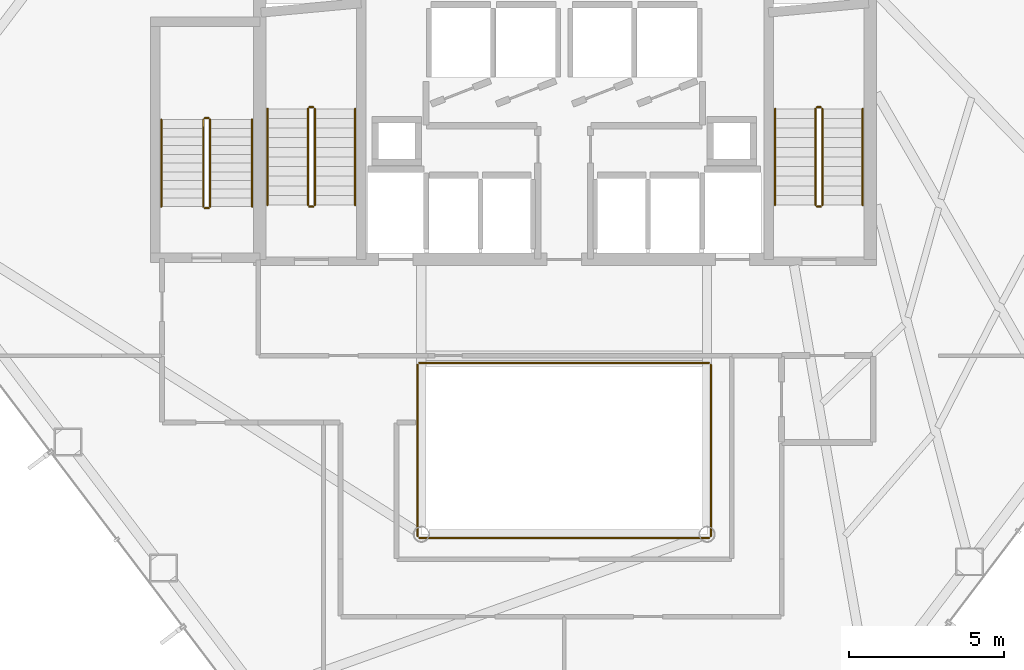
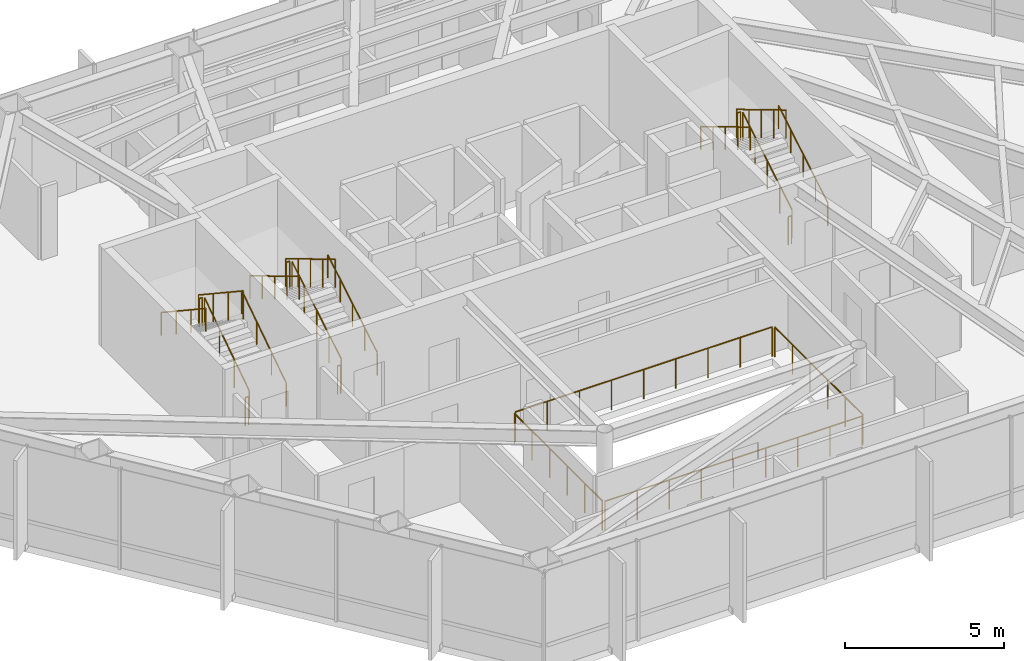
# One storey, part 24 of 24: 22 railings.
"""IFC4 building model written with IfcOpenShell, lengths in metres."""

import ifcopenshell
import ifcopenshell.guid

model = None  # the IFC model being written
_history = None  # IfcOwnerHistory: only IFC2X3 demands one
_inside = {}  # id of a spatial element -> (the spatial element, [elements in it])
_under = {}  # id of a project, library or spatial element -> (it, [spatial elements below it])
_declared = {}  # id of a project -> (the project, [libraries it declares])
_typed = {}  # id of a type object -> (the type object, [elements of that type])
_made_of = {}  # id of a material, layer set ... -> (it, [elements and type objects made of it])


def new_model(schema):
    """Start an empty IFC model of exactly this schema.

    Asked for "IFC4X3", IfcOpenShell would pick the latest addendum, in which some entities
    have other attributes; the version numbers below select the first issue.
    IFC2X3 requires an IfcOwnerHistory on every rooted entity: one is made here for all.
    """
    global model, _history
    if schema == "IFC4X3":
        model = ifcopenshell.file(schema_version=(4, 3, 0, 0))
    else:
        model = ifcopenshell.file(schema=schema)
    _inside.clear()
    _under.clear()
    _declared.clear()
    _typed.clear()
    _made_of.clear()
    _history = None
    if model.schema == "IFC2X3":
        org = make("IfcOrganization", Name="unknown")
        user = make(
            "IfcPersonAndOrganization",
            ThePerson=make("IfcPerson", FamilyName="unknown"),
            TheOrganization=org,
        )
        app = make(
            "IfcApplication",
            ApplicationDeveloper=org,
            Version="unknown",
            ApplicationFullName="unknown",
            ApplicationIdentifier="unknown",
        )
        _history = make(
            "IfcOwnerHistory",
            OwningUser=user,
            OwningApplication=app,
            ChangeAction="ADDED",
            CreationDate=0,
        )
    return model


def make(cls, **values):
    """One entity of the class cls with the attributes given. An attribute that is None is left unset."""
    return model.create_entity(
        cls, **{name: value for name, value in values.items() if value is not None}
    )


def rooted(cls, **values):
    """An entity with a GlobalId (a new one), such as an element, a storey or a relation."""
    return make(cls, GlobalId=ifcopenshell.guid.new(), OwnerHistory=_history, **values)


def si_unit(unit_type, name, prefix=None):
    """IfcSIUnit, for example si_unit("LENGTHUNIT", "METRE", prefix="MILLI")."""
    return make("IfcSIUnit", UnitType=unit_type, Prefix=prefix, Name=name)


def assignment(units):
    """IfcUnitAssignment: the units of a project."""
    return None if units is None else make("IfcUnitAssignment", Units=units)


def point(xyz):
    """IfcCartesianPoint."""
    return None if xyz is None else make("IfcCartesianPoint", Coordinates=xyz)


def direction(xyz):
    """IfcDirection."""
    return None if xyz is None else make("IfcDirection", DirectionRatios=xyz)


def frame(location, z_axis=None, x_axis=None):
    """IfcAxis2Placement3D, a coordinate frame: its origin and axes. An axis left out is left unset."""
    return make(
        "IfcAxis2Placement3D",
        Location=point(location),
        Axis=direction(z_axis),
        RefDirection=direction(x_axis),
    )


def frame_2d(location, x_axis=None):
    """IfcAxis2Placement2D, a coordinate frame in the plane: its origin and x axis."""
    return make(
        "IfcAxis2Placement2D", Location=point(location), RefDirection=direction(x_axis)
    )


def origin():
    """The frame at (0, 0, 0) with its axes left unset."""
    return frame((0.0, 0.0, 0.0))


def origin_2d():
    """The frame at (0, 0) in the plane with its x axis left unset."""
    return frame_2d((0.0, 0.0))


def place(relative_to, where):
    """IfcLocalPlacement: puts the frame where relative to a parent placement (None: the world)."""
    return make(
        "IfcLocalPlacement", PlacementRelTo=relative_to, RelativePlacement=where
    )


def context(
    kind, dimensions, precision=None, world=None, true_north=None, identifier=None
):
    """IfcGeometricRepresentationContext, for example the 3D "Model" context."""
    return make(
        "IfcGeometricRepresentationContext",
        ContextIdentifier=identifier,
        ContextType=kind,
        CoordinateSpaceDimension=dimensions,
        Precision=precision,
        WorldCoordinateSystem=world,
        TrueNorth=true_north,
    )


def subcontext(parent, identifier, kind, view, scale=None):
    """IfcGeometricRepresentationSubContext, for example "Body" below "Model"."""
    return make(
        "IfcGeometricRepresentationSubContext",
        ContextIdentifier=identifier,
        ContextType=kind,
        ParentContext=parent,
        TargetScale=scale,
        TargetView=view,
    )


def project(units=None, contexts=None):
    """IfcProject with its units and contexts."""
    return rooted(
        "IfcProject",
        Name="project",
        RepresentationContexts=contexts,
        UnitsInContext=assignment(units),
    )


def spatial(cls, under=None, at=None, **own):
    """A site, building, storey or space (cls), placed at a placement, below another one or the project."""
    s = rooted(cls, ObjectPlacement=at, **own)
    if under is not None:
        _under.setdefault(under.id(), (under, []))[1].append(s)
    return s


def profile(cls, at=None, kind="AREA", **sizes):
    """A parametric profile (cls). Its sizes go by their IFC names, for example OverallWidth=200.0."""
    return make(cls, ProfileType=kind, Position=at, **sizes)


def circle(**sizes):
    """IfcCircleProfileDef."""
    return profile("IfcCircleProfileDef", **sizes)


def extrude(swept, where, along, depth):
    """IfcExtrudedAreaSolid: the profile swept, set in the frame where, extruded along a direction by depth."""
    return make(
        "IfcExtrudedAreaSolid",
        SweptArea=swept,
        Position=where,
        ExtrudedDirection=direction(along),
        Depth=depth,
    )


def shape(context_of_items, identifier, shape_type, items):
    """IfcShapeRepresentation: the items that make up one representation, for example the "Body"."""
    return make(
        "IfcShapeRepresentation",
        ContextOfItems=context_of_items,
        RepresentationIdentifier=identifier,
        RepresentationType=shape_type,
        Items=items,
    )


def material(Name=None, Category=None):
    """IfcMaterial."""
    return make("IfcMaterial", Name=Name, Category=Category)


def made_of(thing, what):
    """Note that an element or type object is made of a material, layer set ...; save() writes the relation."""
    if what is not None:
        _made_of.setdefault(what.id(), (what, []))[1].append(thing)
    return thing


def type_object(cls, material=None, **own):
    """A type object (cls), such as IfcWallType, which elements share."""
    return made_of(rooted(cls, **own), material)


def element(
    cls,
    number,
    at=None,
    inside=None,
    cuts=None,
    type_object=None,
    material=None,
    context=None,
    identifier="Body",
    shape_type=None,
    held_by="IfcProductDefinitionShape",
    body=None,
    shapes=None,
    **own,
):
    """One element of the class cls, such as IfcWall. Its Tag is "e" and its number.

    at: its placement. inside: the storey or other place that contains it. cuts: it is an
    opening in that element (IfcRelVoidsElement). A single representation is given by context,
    identifier, shape_type and body (its items); several are given by shapes. held_by: the class
    of the entity that holds the representations. save() writes the other relations.
    """
    e = rooted(cls, Tag="e%d" % number, ObjectPlacement=at, **own)
    if body is not None:
        shapes = [shape(context, identifier, shape_type, body)]
    if shapes is not None:
        e.Representation = make(held_by, Representations=shapes)
    if inside is not None:
        _inside.setdefault(inside.id(), (inside, []))[1].append(e)
    if cuts is not None:
        rooted(
            "IfcRelVoidsElement", RelatingBuildingElement=cuts, RelatedOpeningElement=e
        )
    if type_object is not None:
        _typed.setdefault(type_object.id(), (type_object, []))[1].append(e)
    return made_of(e, material)


def aggregate(whole, parts):
    """IfcRelAggregates: a whole, such as a stair, and the parts it consists of."""
    return rooted("IfcRelAggregates", RelatingObject=whole, RelatedObjects=parts)


def save(model, path):
    """Write the relations noted so far, then the file.

    IfcRelAggregates (storeys below a building ...), IfcRelContainedInSpatialStructure (elements
    in a storey), IfcRelDefinesByType, IfcRelAssociatesMaterial and IfcRelDeclares: one each for
    every whole, place, type object, material and project.
    """
    for whole, parts in _under.values():
        aggregate(whole, parts)
    for where, things in _inside.values():
        rooted(
            "IfcRelContainedInSpatialStructure",
            RelatedElements=things,
            RelatingStructure=where,
        )
    for kind, things in _typed.values():
        rooted("IfcRelDefinesByType", RelatedObjects=things, RelatingType=kind)
    for what, things in _made_of.values():
        rooted("IfcRelAssociatesMaterial", RelatedObjects=things, RelatingMaterial=what)
    for by, libraries in _declared.values():
        rooted("IfcRelDeclares", RelatingContext=by, RelatedDefinitions=libraries)
    model.write(path)


model = new_model("IFC4")

# Units and contexts
model_context = context("Model", 3, precision=1e-05, world=origin(), true_north=direction((0.0, 1.0)))
body_context = subcontext(model_context, "Body", "Model", "MODEL_VIEW")
ifc_project = project(units=[si_unit("LENGTHUNIT", "METRE"), si_unit("AREAUNIT", "SQUARE_METRE"), si_unit("VOLUMEUNIT", "CUBIC_METRE"), si_unit("PLANEANGLEUNIT", "RADIAN"), si_unit("MASSUNIT", "GRAM", prefix="KILO")], contexts=[model_context])

# Site, building, storey
site_placement = place(None, origin())
site = spatial("IfcSite", under=ifc_project, at=site_placement, CompositionType="ELEMENT")
building_placement = place(site_placement, origin())
building = spatial("IfcBuilding", under=site, at=building_placement, Name="Zarrinselat Tower", CompositionType="ELEMENT")
storey_placement = place(building_placement, frame((0.0, 0.0, 72.419921875)))
storey = spatial("IfcBuildingStorey", under=building, at=storey_placement, Name="L17", CompositionType="ELEMENT", Elevation=72.419921875)

# Railings
ifc_material_1 = material(Name="Double Low-E Laminated Solar Glass", Category="glass")
railing_type_1 = type_object("IfcRailingType", Name="RLG-ATRIUM-BAL", PredefinedType="BALUSTRADE", material=ifc_material_1)
railing_1_placement = place(storey_placement, frame((33.739990234375, 24.280029296875, 0.0)))
element("IfcRailing", 1, at=railing_1_placement, inside=storey, type_object=railing_type_1, Name="L17 Atrium Void Glass Balustrade S", PredefinedType="BALUSTRADE", context=body_context, shape_type="SweptSolid", body=[
    extrude(circle(Radius=0.02392578125, at=origin_2d()), frame((0.0, 0.0, 1.1259765625), z_axis=(1.0, 0.0, 0.0), x_axis=(0.0, 1.0, 0.0)), (0.0, 0.0, 1.0), 9.320068359375),
    extrude(circle(Radius=0.02099609375, at=origin_2d()), origin(), (0.0, 0.0, 1.0), 1.099853515625),
    extrude(circle(Radius=0.02099609375, at=origin_2d()), frame((1.1650390625, 0.0, 0.0)), (0.0, 0.0, 1.0), 1.099853515625),
    extrude(circle(Radius=0.02099609375, at=origin_2d()), frame((2.330078125, 0.0, 0.0)), (0.0, 0.0, 1.0), 1.099853515625),
    extrude(circle(Radius=0.02099609375, at=origin_2d()), frame((3.4951171875, 0.0, 0.0)), (0.0, 0.0, 1.0), 1.099853515625),
    extrude(circle(Radius=0.02099609375, at=origin_2d()), frame((4.66015625, 0.0, 0.0)), (0.0, 0.0, 1.0), 1.099853515625),
    extrude(circle(Radius=0.02099609375, at=origin_2d()), frame((5.824951171875, 0.0, 0.0)), (0.0, 0.0, 1.0), 1.099853515625),
    extrude(circle(Radius=0.02099609375, at=origin_2d()), frame((6.989990234375, 0.0, 0.0)), (0.0, 0.0, 1.0), 1.099853515625),
    extrude(circle(Radius=0.02099609375, at=origin_2d()), frame((8.155029296875, 0.0, 0.0)), (0.0, 0.0, 1.0), 1.099853515625),
    extrude(circle(Radius=0.02099609375, at=origin_2d()), frame((9.320068359375, 0.0, 0.0)), (0.0, 0.0, 1.0), 1.099853515625),
])
railing_2_placement = place(storey_placement, frame((43.1201171875, 24.340087890625, 0.0)))
element("IfcRailing", 2, at=railing_2_placement, inside=storey, type_object=railing_type_1, Name="L17 Atrium Void Glass Balustrade E", PredefinedType="BALUSTRADE", context=body_context, shape_type="SweptSolid", body=[
    extrude(circle(Radius=0.02392578125, at=origin_2d()), frame((0.0, 0.0, 1.1259765625), z_axis=(0.0, 1.0, 0.0), x_axis=(-1.0, 0.0, 0.0)), (0.0, 0.0, 1.0), 5.52001953125),
    extrude(circle(Radius=0.02099609375, at=origin_2d()), origin(), (0.0, 0.0, 1.0), 1.099853515625),
    extrude(circle(Radius=0.02099609375, at=origin_2d()), frame((0.0, 1.10400390625, 0.0)), (0.0, 0.0, 1.0), 1.099853515625),
    extrude(circle(Radius=0.02099609375, at=origin_2d()), frame((0.0, 2.2080078125, 0.0)), (0.0, 0.0, 1.0), 1.099853515625),
    extrude(circle(Radius=0.02099609375, at=origin_2d()), frame((0.0, 3.31201171875, 0.0)), (0.0, 0.0, 1.0), 1.099853515625),
    extrude(circle(Radius=0.02099609375, at=origin_2d()), frame((0.0, 4.416015625, 0.0)), (0.0, 0.0, 1.0), 1.099853515625),
    extrude(circle(Radius=0.02099609375, at=origin_2d()), frame((0.0, 5.52001953125, 0.0)), (0.0, 0.0, 1.0), 1.099853515625),
])
railing_3_placement = place(storey_placement, frame((43.06005859375, 29.919921875, 0.0)))
element("IfcRailing", 3, at=railing_3_placement, inside=storey, type_object=railing_type_1, Name="L17 Atrium Void Glass Balustrade N", PredefinedType="BALUSTRADE", context=body_context, shape_type="SweptSolid", body=[
    extrude(circle(Radius=0.02392578125, at=origin_2d()), frame((0.0, 0.0, 1.1259765625), z_axis=(-1.0, 0.0, 0.0), x_axis=(0.0, -1.0, 0.0)), (0.0, 0.0, 1.0), 9.320068359375),
    extrude(circle(Radius=0.02099609375, at=origin_2d()), origin(), (0.0, 0.0, 1.0), 1.099853515625),
    extrude(circle(Radius=0.02099609375, at=origin_2d()), frame((-1.1650390625, 0.0, 0.0)), (0.0, 0.0, 1.0), 1.099853515625),
    extrude(circle(Radius=0.02099609375, at=origin_2d()), frame((-2.330078125, 0.0, 0.0)), (0.0, 0.0, 1.0), 1.099853515625),
    extrude(circle(Radius=0.02099609375, at=origin_2d()), frame((-3.4951171875, 0.0, 0.0)), (0.0, 0.0, 1.0), 1.099853515625),
    extrude(circle(Radius=0.02099609375, at=origin_2d()), frame((-4.66015625, 0.0, 0.0)), (0.0, 0.0, 1.0), 1.099853515625),
    extrude(circle(Radius=0.02099609375, at=origin_2d()), frame((-5.824951171875, 0.0, 0.0)), (0.0, 0.0, 1.0), 1.099853515625),
    extrude(circle(Radius=0.02099609375, at=origin_2d()), frame((-6.989990234375, 0.0, 0.0)), (0.0, 0.0, 1.0), 1.099853515625),
    extrude(circle(Radius=0.02099609375, at=origin_2d()), frame((-8.155029296875, 0.0, 0.0)), (0.0, 0.0, 1.0), 1.099853515625),
    extrude(circle(Radius=0.02099609375, at=origin_2d()), frame((-9.320068359375, 0.0, 0.0)), (0.0, 0.0, 1.0), 1.099853515625),
])
railing_4_placement = place(storey_placement, frame((33.679931640625, 29.860107421875, 0.0)))
element("IfcRailing", 4, at=railing_4_placement, inside=storey, type_object=railing_type_1, Name="L17 Atrium Void Glass Balustrade W", PredefinedType="BALUSTRADE", context=body_context, shape_type="SweptSolid", body=[
    extrude(circle(Radius=0.02392578125, at=origin_2d()), frame((0.0, 0.0, 1.1259765625), z_axis=(0.0, -1.0, 0.0), x_axis=(1.0, 0.0, 0.0)), (0.0, 0.0, 1.0), 5.52001953125),
    extrude(circle(Radius=0.02099609375, at=origin_2d()), origin(), (0.0, 0.0, 1.0), 1.099853515625),
    extrude(circle(Radius=0.02099609375, at=origin_2d()), frame((0.0, -1.10400390625, 0.0)), (0.0, 0.0, 1.0), 1.099853515625),
    extrude(circle(Radius=0.02099609375, at=origin_2d()), frame((0.0, -2.2080078125, 0.0)), (0.0, 0.0, 1.0), 1.099853515625),
    extrude(circle(Radius=0.02099609375, at=origin_2d()), frame((0.0, -3.31201171875, 0.0)), (0.0, 0.0, 1.0), 1.099853515625),
    extrude(circle(Radius=0.02099609375, at=origin_2d()), frame((0.0, -4.416015625, 0.0)), (0.0, 0.0, 1.0), 1.099853515625),
    extrude(circle(Radius=0.02099609375, at=origin_2d()), frame((0.0, -5.52001953125, 0.0)), (0.0, 0.0, 1.0), 1.099853515625),
])
ifc_material_2 = material(Name="Steel S355J2", Category="steel")
railing_type_2 = type_object("IfcRailingType", Name="RLG-STAIR-GUARD", PredefinedType="GUARDRAIL", material=ifc_material_2)
railing_5_placement = place(storey_placement, frame((30.3701171875, 35.0, 0.185546875)))
element("IfcRailing", 5, at=railing_5_placement, inside=storey, type_object=railing_type_2, Name="L17 ST-1 stair guard 1", PredefinedType="GUARDRAIL", context=body_context, shape_type="SweptSolid", body=[
    extrude(circle(Radius=0.02392578125, at=origin_2d()), frame((0.0, 0.0, 1.076171875), z_axis=(0.0, 0.858171985069, 0.513362293163), x_axis=(-1.0, 0.0, 0.0)), (0.0, 0.0, 1.0), 3.612548828125),
    extrude(circle(Radius=0.02099609375, at=origin_2d()), origin(), (0.0, 0.0, 1.0), 1.050048828125),
    extrude(circle(Radius=0.02099609375, at=origin_2d()), frame((0.0, 0.77490234375, 0.463623046875)), (0.0, 0.0, 1.0), 1.050048828125),
    extrude(circle(Radius=0.02099609375, at=origin_2d()), frame((0.0, 1.550048828125, 0.92724609375)), (0.0, 0.0, 1.0), 1.050048828125),
    extrude(circle(Radius=0.02099609375, at=origin_2d()), frame((0.0, 2.3251953125, 1.390869140625)), (0.0, 0.0, 1.0), 1.050048828125),
    extrude(circle(Radius=0.02099609375, at=origin_2d()), frame((0.0, 3.10009765625, 1.8544921875)), (0.0, 0.0, 1.0), 1.050048828125),
])
railing_6_placement = place(storey_placement, frame((30.320068359375, 38.14990234375, 2.0400390625)))
element("IfcRailing", 6, at=railing_6_placement, inside=storey, type_object=railing_type_2, Name="L17 ST-1 stair guard 2", PredefinedType="GUARDRAIL", context=body_context, shape_type="SweptSolid", body=[
    extrude(circle(Radius=0.02392578125, at=origin_2d()), frame((0.0, 0.0, 1.076171875), z_axis=(-1.0, 0.0, 0.0), x_axis=(0.0, -1.0, 0.0)), (0.0, 0.0, 1.0), 0.1201171875),
    extrude(circle(Radius=0.02099609375, at=origin_2d()), origin(), (0.0, 0.0, 1.0), 1.050048828125),
    extrude(circle(Radius=0.02099609375, at=origin_2d()), frame((-0.1201171875, 0.0, 0.0)), (0.0, 0.0, 1.0), 1.050048828125),
])
railing_7_placement = place(storey_placement, frame((30.14990234375, 38.10009765625, 2.2255859375)))
element("IfcRailing", 7, at=railing_7_placement, inside=storey, type_object=railing_type_2, Name="L17 ST-1 stair guard 3", PredefinedType="GUARDRAIL", context=body_context, shape_type="SweptSolid", body=[
    extrude(circle(Radius=0.02392578125, at=origin_2d()), frame((0.0, 0.0, 1.076171875), z_axis=(0.0, -0.858171985069, 0.513362293163), x_axis=(1.0, 0.0, 0.0)), (0.0, 0.0, 1.0), 3.612548828125),
    extrude(circle(Radius=0.02099609375, at=origin_2d()), origin(), (0.0, 0.0, 1.0), 1.050048828125),
    extrude(circle(Radius=0.02099609375, at=origin_2d()), frame((0.0, -0.77490234375, 0.463623046875)), (0.0, 0.0, 1.0), 1.050048828125),
    extrude(circle(Radius=0.02099609375, at=origin_2d()), frame((0.0, -1.550048828125, 0.92724609375)), (0.0, 0.0, 1.0), 1.050048828125),
    extrude(circle(Radius=0.02099609375, at=origin_2d()), frame((0.0, -2.3251953125, 1.390869140625)), (0.0, 0.0, 1.0), 1.050048828125),
    extrude(circle(Radius=0.02099609375, at=origin_2d()), frame((0.0, -3.10009765625, 1.8544921875)), (0.0, 0.0, 1.0), 1.050048828125),
])
railing_8_placement = place(storey_placement, frame((30.320068359375, 34.949951171875, 0.0)))
element("IfcRailing", 8, at=railing_8_placement, inside=storey, type_object=railing_type_2, Name="L17 ST-1 stair guard 4", PredefinedType="GUARDRAIL", context=body_context, shape_type="SweptSolid", body=[
    extrude(circle(Radius=0.02392578125, at=origin_2d()), frame((0.0, 0.0, 1.076171875), z_axis=(-1.0, 0.0, 0.0), x_axis=(0.0, -1.0, 0.0)), (0.0, 0.0, 1.0), 0.1201171875),
    extrude(circle(Radius=0.02099609375, at=origin_2d()), origin(), (0.0, 0.0, 1.0), 1.050048828125),
    extrude(circle(Radius=0.02099609375, at=origin_2d()), frame((-0.1201171875, 0.0, 0.0)), (0.0, 0.0, 1.0), 1.050048828125),
])
railing_9_placement = place(storey_placement, frame((46.7099609375, 35.0, 0.185546875)))
element("IfcRailing", 9, at=railing_9_placement, inside=storey, type_object=railing_type_2, Name="L17 ST-2 stair guard 1", PredefinedType="GUARDRAIL", context=body_context, shape_type="SweptSolid", body=[
    extrude(circle(Radius=0.02392578125, at=origin_2d()), frame((0.0, 0.0, 1.076171875), z_axis=(0.0, 0.858171985069, 0.513362293163), x_axis=(-1.0, 0.0, 0.0)), (0.0, 0.0, 1.0), 3.612548828125),
    extrude(circle(Radius=0.02099609375, at=origin_2d()), origin(), (0.0, 0.0, 1.0), 1.050048828125),
    extrude(circle(Radius=0.02099609375, at=origin_2d()), frame((0.0, 0.77490234375, 0.463623046875)), (0.0, 0.0, 1.0), 1.050048828125),
    extrude(circle(Radius=0.02099609375, at=origin_2d()), frame((0.0, 1.550048828125, 0.92724609375)), (0.0, 0.0, 1.0), 1.050048828125),
    extrude(circle(Radius=0.02099609375, at=origin_2d()), frame((0.0, 2.3251953125, 1.390869140625)), (0.0, 0.0, 1.0), 1.050048828125),
    extrude(circle(Radius=0.02099609375, at=origin_2d()), frame((0.0, 3.10009765625, 1.8544921875)), (0.0, 0.0, 1.0), 1.050048828125),
])
railing_10_placement = place(storey_placement, frame((46.659912109375, 38.14990234375, 2.0400390625)))
element("IfcRailing", 10, at=railing_10_placement, inside=storey, type_object=railing_type_2, Name="L17 ST-2 stair guard 2", PredefinedType="GUARDRAIL", context=body_context, shape_type="SweptSolid", body=[
    extrude(circle(Radius=0.02392578125, at=origin_2d()), frame((0.0, 0.0, 1.076171875), z_axis=(-1.0, 0.0, 0.0), x_axis=(0.0, -1.0, 0.0)), (0.0, 0.0, 1.0), 0.119873046875),
    extrude(circle(Radius=0.02099609375, at=origin_2d()), origin(), (0.0, 0.0, 1.0), 1.050048828125),
    extrude(circle(Radius=0.02099609375, at=origin_2d()), frame((-0.119873046875, 0.0, 0.0)), (0.0, 0.0, 1.0), 1.050048828125),
])
railing_11_placement = place(storey_placement, frame((46.489990234375, 38.10009765625, 2.2255859375)))
element("IfcRailing", 11, at=railing_11_placement, inside=storey, type_object=railing_type_2, Name="L17 ST-2 stair guard 3", PredefinedType="GUARDRAIL", context=body_context, shape_type="SweptSolid", body=[
    extrude(circle(Radius=0.02392578125, at=origin_2d()), frame((0.0, 0.0, 1.076171875), z_axis=(0.0, -0.858171985069, 0.513362293163), x_axis=(1.0, 0.0, 0.0)), (0.0, 0.0, 1.0), 3.612548828125),
    extrude(circle(Radius=0.02099609375, at=origin_2d()), origin(), (0.0, 0.0, 1.0), 1.050048828125),
    extrude(circle(Radius=0.02099609375, at=origin_2d()), frame((0.0, -0.77490234375, 0.463623046875)), (0.0, 0.0, 1.0), 1.050048828125),
    extrude(circle(Radius=0.02099609375, at=origin_2d()), frame((0.0, -1.550048828125, 0.92724609375)), (0.0, 0.0, 1.0), 1.050048828125),
    extrude(circle(Radius=0.02099609375, at=origin_2d()), frame((0.0, -2.3251953125, 1.390869140625)), (0.0, 0.0, 1.0), 1.050048828125),
    extrude(circle(Radius=0.02099609375, at=origin_2d()), frame((0.0, -3.10009765625, 1.8544921875)), (0.0, 0.0, 1.0), 1.050048828125),
])
railing_12_placement = place(storey_placement, frame((46.659912109375, 34.949951171875, 0.0)))
element("IfcRailing", 12, at=railing_12_placement, inside=storey, type_object=railing_type_2, Name="L17 ST-2 stair guard 4", PredefinedType="GUARDRAIL", context=body_context, shape_type="SweptSolid", body=[
    extrude(circle(Radius=0.02392578125, at=origin_2d()), frame((0.0, 0.0, 1.076171875), z_axis=(-1.0, 0.0, 0.0), x_axis=(0.0, -1.0, 0.0)), (0.0, 0.0, 1.0), 0.119873046875),
    extrude(circle(Radius=0.02099609375, at=origin_2d()), origin(), (0.0, 0.0, 1.0), 1.050048828125),
    extrude(circle(Radius=0.02099609375, at=origin_2d()), frame((-0.119873046875, 0.0, 0.0)), (0.0, 0.0, 1.0), 1.050048828125),
])
railing_13_placement = place(storey_placement, frame((27.0, 34.949951171875, 0.185546875)))
element("IfcRailing", 13, at=railing_13_placement, inside=storey, type_object=railing_type_2, Name="L17 ST-3 stair guard 1", PredefinedType="GUARDRAIL", context=body_context, shape_type="SweptSolid", body=[
    extrude(circle(Radius=0.02392578125, at=origin_2d()), frame((0.0, 0.0, 1.076171875), z_axis=(0.0, 0.833724036255, 0.552181339209), x_axis=(-1.0, 0.0, 0.0)), (0.0, 0.0, 1.0), 3.3583984375),
    extrude(circle(Radius=0.02099609375, at=origin_2d()), origin(), (0.0, 0.0, 1.0), 1.050048828125),
    extrude(circle(Radius=0.02099609375, at=origin_2d()), frame((0.0, 0.933349609375, 0.6181640625)), (0.0, 0.0, 1.0), 1.050048828125),
    extrude(circle(Radius=0.02099609375, at=origin_2d()), frame((0.0, 1.86669921875, 1.236328125)), (0.0, 0.0, 1.0), 1.050048828125),
    extrude(circle(Radius=0.02099609375, at=origin_2d()), frame((0.0, 2.800048828125, 1.8544921875)), (0.0, 0.0, 1.0), 1.050048828125),
])
railing_14_placement = place(storey_placement, frame((26.949951171875, 37.800048828125, 2.0400390625)))
element("IfcRailing", 14, at=railing_14_placement, inside=storey, type_object=railing_type_2, Name="L17 ST-3 stair guard 2", PredefinedType="GUARDRAIL", context=body_context, shape_type="SweptSolid", body=[
    extrude(circle(Radius=0.02392578125, at=origin_2d()), frame((0.0, 0.0, 1.076171875), z_axis=(-1.0, 0.0, 0.0), x_axis=(0.0, -1.0, 0.0)), (0.0, 0.0, 1.0), 0.119873046875),
    extrude(circle(Radius=0.02099609375, at=origin_2d()), origin(), (0.0, 0.0, 1.0), 1.050048828125),
    extrude(circle(Radius=0.02099609375, at=origin_2d()), frame((-0.119873046875, 0.0, 0.0)), (0.0, 0.0, 1.0), 1.050048828125),
])
railing_15_placement = place(storey_placement, frame((26.780029296875, 37.75, 2.2255859375)))
element("IfcRailing", 15, at=railing_15_placement, inside=storey, type_object=railing_type_2, Name="L17 ST-3 stair guard 3", PredefinedType="GUARDRAIL", context=body_context, shape_type="SweptSolid", body=[
    extrude(circle(Radius=0.02392578125, at=origin_2d()), frame((0.0, 0.0, 1.076171875), z_axis=(0.0, -0.833724036255, 0.552181339209), x_axis=(1.0, 0.0, 0.0)), (0.0, 0.0, 1.0), 3.3583984375),
    extrude(circle(Radius=0.02099609375, at=origin_2d()), origin(), (0.0, 0.0, 1.0), 1.050048828125),
    extrude(circle(Radius=0.02099609375, at=origin_2d()), frame((0.0, -0.933349609375, 0.6181640625)), (0.0, 0.0, 1.0), 1.050048828125),
    extrude(circle(Radius=0.02099609375, at=origin_2d()), frame((0.0, -1.86669921875, 1.236328125)), (0.0, 0.0, 1.0), 1.050048828125),
    extrude(circle(Radius=0.02099609375, at=origin_2d()), frame((0.0, -2.800048828125, 1.8544921875)), (0.0, 0.0, 1.0), 1.050048828125),
])
railing_16_placement = place(storey_placement, frame((26.949951171875, 34.89990234375, 0.0)))
element("IfcRailing", 16, at=railing_16_placement, inside=storey, type_object=railing_type_2, Name="L17 ST-3 stair guard 4", PredefinedType="GUARDRAIL", context=body_context, shape_type="SweptSolid", body=[
    extrude(circle(Radius=0.02392578125, at=origin_2d()), frame((0.0, 0.0, 1.076171875), z_axis=(-1.0, 0.0, 0.0), x_axis=(0.0, -1.0, 0.0)), (0.0, 0.0, 1.0), 0.119873046875),
    extrude(circle(Radius=0.02099609375, at=origin_2d()), origin(), (0.0, 0.0, 1.0), 1.050048828125),
    extrude(circle(Radius=0.02099609375, at=origin_2d()), frame((-0.119873046875, 0.0, 0.0)), (0.0, 0.0, 1.0), 1.050048828125),
])
ifc_material_3 = material(Name="Steel S355J2", Category="steel")
railing_type_3 = type_object("IfcRailingType", Name="RLG-STAIR-HAND", PredefinedType="HANDRAIL", material=ifc_material_3)
railing_17_placement = place(storey_placement, frame((31.669921875, 35.0, 0.185546875)))
element("IfcRailing", 17, at=railing_17_placement, inside=storey, type_object=railing_type_3, Name="L17 ST-1 stair handrail 1", PredefinedType="HANDRAIL", context=body_context, shape_type="SweptSolid", body=[
    extrude(circle(Radius=0.02392578125, at=origin_2d()), frame((0.0, 0.0, 0.8759765625), z_axis=(0.0, 0.858171985069, 0.513362293163), x_axis=(-1.0, 0.0, 0.0)), (0.0, 0.0, 1.0), 3.612548828125),
    extrude(circle(Radius=0.02099609375, at=origin_2d()), origin(), (0.0, 0.0, 1.0), 0.849853515625),
    extrude(circle(Radius=0.02099609375, at=origin_2d()), frame((0.0, 0.77490234375, 0.463623046875)), (0.0, 0.0, 1.0), 0.849853515625),
    extrude(circle(Radius=0.02099609375, at=origin_2d()), frame((0.0, 1.550048828125, 0.92724609375)), (0.0, 0.0, 1.0), 0.849853515625),
    extrude(circle(Radius=0.02099609375, at=origin_2d()), frame((0.0, 2.3251953125, 1.390869140625)), (0.0, 0.0, 1.0), 0.849853515625),
    extrude(circle(Radius=0.02099609375, at=origin_2d()), frame((0.0, 3.10009765625, 1.8544921875)), (0.0, 0.0, 1.0), 0.849853515625),
])
railing_18_placement = place(storey_placement, frame((28.85009765625, 38.10009765625, 2.2255859375)))
element("IfcRailing", 18, at=railing_18_placement, inside=storey, type_object=railing_type_3, Name="L17 ST-1 stair handrail 2", PredefinedType="HANDRAIL", context=body_context, shape_type="SweptSolid", body=[
    extrude(circle(Radius=0.02392578125, at=origin_2d()), frame((0.0, 0.0, 0.8759765625), z_axis=(0.0, -0.858171985069, 0.513362293163), x_axis=(1.0, 0.0, 0.0)), (0.0, 0.0, 1.0), 3.612548828125),
    extrude(circle(Radius=0.02099609375, at=origin_2d()), origin(), (0.0, 0.0, 1.0), 0.849853515625),
    extrude(circle(Radius=0.02099609375, at=origin_2d()), frame((0.0, -0.77490234375, 0.463623046875)), (0.0, 0.0, 1.0), 0.849853515625),
    extrude(circle(Radius=0.02099609375, at=origin_2d()), frame((0.0, -1.550048828125, 0.92724609375)), (0.0, 0.0, 1.0), 0.849853515625),
    extrude(circle(Radius=0.02099609375, at=origin_2d()), frame((0.0, -2.3251953125, 1.390869140625)), (0.0, 0.0, 1.0), 0.849853515625),
    extrude(circle(Radius=0.02099609375, at=origin_2d()), frame((0.0, -3.10009765625, 1.8544921875)), (0.0, 0.0, 1.0), 0.849853515625),
])
railing_19_placement = place(storey_placement, frame((48.010009765625, 35.0, 0.185546875)))
element("IfcRailing", 19, at=railing_19_placement, inside=storey, type_object=railing_type_3, Name="L17 ST-2 stair handrail 1", PredefinedType="HANDRAIL", context=body_context, shape_type="SweptSolid", body=[
    extrude(circle(Radius=0.02392578125, at=origin_2d()), frame((0.0, 0.0, 0.8759765625), z_axis=(0.0, 0.858171985069, 0.513362293163), x_axis=(-1.0, 0.0, 0.0)), (0.0, 0.0, 1.0), 3.612548828125),
    extrude(circle(Radius=0.02099609375, at=origin_2d()), origin(), (0.0, 0.0, 1.0), 0.849853515625),
    extrude(circle(Radius=0.02099609375, at=origin_2d()), frame((0.0, 0.77490234375, 0.463623046875)), (0.0, 0.0, 1.0), 0.849853515625),
    extrude(circle(Radius=0.02099609375, at=origin_2d()), frame((0.0, 1.550048828125, 0.92724609375)), (0.0, 0.0, 1.0), 0.849853515625),
    extrude(circle(Radius=0.02099609375, at=origin_2d()), frame((0.0, 2.3251953125, 1.390869140625)), (0.0, 0.0, 1.0), 0.849853515625),
    extrude(circle(Radius=0.02099609375, at=origin_2d()), frame((0.0, 3.10009765625, 1.8544921875)), (0.0, 0.0, 1.0), 0.849853515625),
])
railing_20_placement = place(storey_placement, frame((45.18994140625, 38.10009765625, 2.2255859375)))
element("IfcRailing", 20, at=railing_20_placement, inside=storey, type_object=railing_type_3, Name="L17 ST-2 stair handrail 2", PredefinedType="HANDRAIL", context=body_context, shape_type="SweptSolid", body=[
    extrude(circle(Radius=0.02392578125, at=origin_2d()), frame((0.0, 0.0, 0.8759765625), z_axis=(0.0, -0.858171985069, 0.513362293163), x_axis=(1.0, 0.0, 0.0)), (0.0, 0.0, 1.0), 3.612548828125),
    extrude(circle(Radius=0.02099609375, at=origin_2d()), origin(), (0.0, 0.0, 1.0), 0.849853515625),
    extrude(circle(Radius=0.02099609375, at=origin_2d()), frame((0.0, -0.77490234375, 0.463623046875)), (0.0, 0.0, 1.0), 0.849853515625),
    extrude(circle(Radius=0.02099609375, at=origin_2d()), frame((0.0, -1.550048828125, 0.92724609375)), (0.0, 0.0, 1.0), 0.849853515625),
    extrude(circle(Radius=0.02099609375, at=origin_2d()), frame((0.0, -2.3251953125, 1.390869140625)), (0.0, 0.0, 1.0), 0.849853515625),
    extrude(circle(Radius=0.02099609375, at=origin_2d()), frame((0.0, -3.10009765625, 1.8544921875)), (0.0, 0.0, 1.0), 0.849853515625),
])
railing_21_placement = place(storey_placement, frame((28.35009765625, 34.949951171875, 0.185546875)))
element("IfcRailing", 21, at=railing_21_placement, inside=storey, type_object=railing_type_3, Name="L17 ST-3 stair handrail 1", PredefinedType="HANDRAIL", context=body_context, shape_type="SweptSolid", body=[
    extrude(circle(Radius=0.02392578125, at=origin_2d()), frame((0.0, 0.0, 0.8759765625), z_axis=(0.0, 0.833724036255, 0.552181339209), x_axis=(-1.0, 0.0, 0.0)), (0.0, 0.0, 1.0), 3.3583984375),
    extrude(circle(Radius=0.02099609375, at=origin_2d()), origin(), (0.0, 0.0, 1.0), 0.849853515625),
    extrude(circle(Radius=0.02099609375, at=origin_2d()), frame((0.0, 0.933349609375, 0.6181640625)), (0.0, 0.0, 1.0), 0.849853515625),
    extrude(circle(Radius=0.02099609375, at=origin_2d()), frame((0.0, 1.86669921875, 1.236328125)), (0.0, 0.0, 1.0), 0.849853515625),
    extrude(circle(Radius=0.02099609375, at=origin_2d()), frame((0.0, 2.800048828125, 1.8544921875)), (0.0, 0.0, 1.0), 0.849853515625),
])
railing_22_placement = place(storey_placement, frame((25.429931640625, 37.75, 2.2255859375)))
element("IfcRailing", 22, at=railing_22_placement, inside=storey, type_object=railing_type_3, Name="L17 ST-3 stair handrail 2", PredefinedType="HANDRAIL", context=body_context, shape_type="SweptSolid", body=[
    extrude(circle(Radius=0.02392578125, at=origin_2d()), frame((0.0, 0.0, 0.8759765625), z_axis=(0.0, -0.833724036255, 0.552181339209), x_axis=(1.0, 0.0, 0.0)), (0.0, 0.0, 1.0), 3.3583984375),
    extrude(circle(Radius=0.02099609375, at=origin_2d()), origin(), (0.0, 0.0, 1.0), 0.849853515625),
    extrude(circle(Radius=0.02099609375, at=origin_2d()), frame((0.0, -0.933349609375, 0.6181640625)), (0.0, 0.0, 1.0), 0.849853515625),
    extrude(circle(Radius=0.02099609375, at=origin_2d()), frame((0.0, -1.86669921875, 1.236328125)), (0.0, 0.0, 1.0), 0.849853515625),
    extrude(circle(Radius=0.02099609375, at=origin_2d()), frame((0.0, -2.800048828125, 1.8544921875)), (0.0, 0.0, 1.0), 0.849853515625),
])

save(model, "model.ifc")
